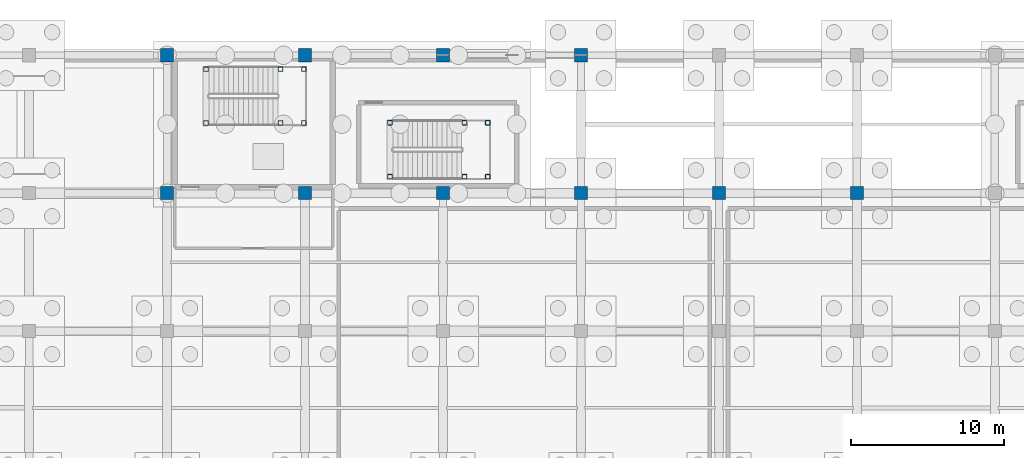
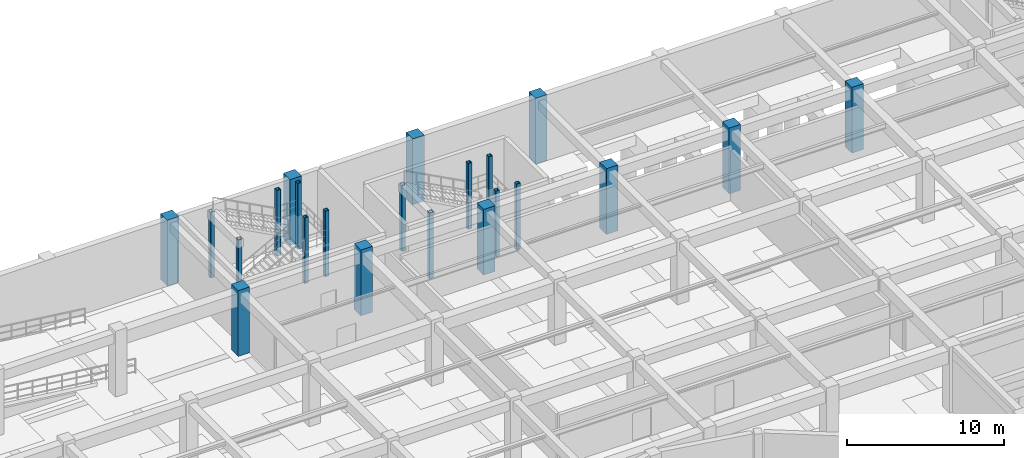
# One storey, part 23 of 62: 22 columns.
"""IFC4 building model written with IfcOpenShell, lengths in metres."""

from ifc_helpers import new_model, si_unit, direction, frame, origin, origin_2d, place, context, subcontext, project, spatial, rectangle, hollow_rectangle, extrude, material, material_profile, profile_set, type_object, element, save


model = new_model("IFC4")

# Units and contexts
model_context = context("Model", 3, precision=1e-05, world=origin(), true_north=direction((0.0, 1.0)))
body_context = subcontext(model_context, "Body", "Model", "MODEL_VIEW")
ifc_project = project(units=[si_unit("LENGTHUNIT", "METRE"), si_unit("AREAUNIT", "SQUARE_METRE"), si_unit("VOLUMEUNIT", "CUBIC_METRE"), si_unit("PLANEANGLEUNIT", "RADIAN"), si_unit("MASSUNIT", "GRAM", prefix="KILO")], contexts=[model_context])

# Site, building, storey
site_placement = place(None, origin())
site = spatial("IfcSite", under=ifc_project, at=site_placement, CompositionType="ELEMENT")
building_placement = place(site_placement, origin())
building = spatial("IfcBuilding", under=site, at=building_placement, Name="Miravela Opera House", CompositionType="ELEMENT")
storey_placement = place(building_placement, frame((0.0, 0.0, -5.10009765625)))
storey = spatial("IfcBuildingStorey", under=building, at=storey_placement, Name="B01", CompositionType="ELEMENT", Elevation=-5.10009765625)

# Columns
ifc_material_1 = material(Name="Hollow structural steel ASTM A500 Gr. C", Category="steel")
ifc_material_profile_1 = material_profile(ifc_material_1, hollow_rectangle(XDim=0.300048828125, YDim=0.300048828125, WallThickness=0.01611328125, InnerFilletRadius=0.01611328125, OuterFilletRadius=0.031982421875, at=origin_2d()), Name="HSS300X300X16")
ifc_profile_set_1 = profile_set([ifc_material_profile_1])
column_type_1 = type_object("IfcColumnType", Name="STR-COL-HSS300", PredefinedType="COLUMN", material=ifc_profile_set_1)
for number, where, z_axis, x_axis, name in (
    (1, (65.5400390625, 107.580078125, 0.0), (0.0, 0.0, 1.0), (1.0, 0.0, 0.0), "Stair K5 Landing Support Column 1 (B01)"),
    (2, (65.5400390625, 111.10009765625, 0.0), (0.0, 0.0, 1.0), (1.0, 0.0, 0.0), "Stair K5 Landing Support Column 2 (B01)"),
    (3, (70.39990234375, 107.580078125, 0.0), (0.0, 0.0, 1.0), (1.0, 0.0, 0.0), "Stair K5 Landing Support Column 3 (B01)"),
    (4, (70.39990234375, 111.10009765625, 0.0), (0.0, 0.0, 1.0), (1.0, 0.0, 0.0), "Stair K5 Landing Support Column 4 (B01)"),
    (5, (71.919921875, 107.580078125, 0.0), (0.0, 0.0, 1.0), (1.0, 0.0, 0.0), "Stair K5 Landing Support Column 5 (B01)"),
    (6, (71.919921875, 111.10009765625, 0.0), (0.0, 0.0, 1.0), (1.0, 0.0, 0.0), "Stair K5 Landing Support Column 6 (B01)"),
    (7, (77.5400390625, 104.080078125, 0.0), (0.0, 0.0, 1.0), (1.0, 0.0, 0.0), "Stair ST-07 Landing Support Column 1 (B01)"),
    (8, (77.5400390625, 107.60009765625, 0.0), (0.0, 0.0, 1.0), (1.0, 0.0, 0.0), "Stair ST-07 Landing Support Column 2 (B01)"),
    (9, (82.39990234375, 104.080078125, 0.0), (0.0, 0.0, 1.0), (1.0, 0.0, 0.0), "Stair ST-07 Landing Support Column 3 (B01)"),
    (10, (82.39990234375, 107.60009765625, 0.0), (0.0, 0.0, 1.0), (1.0, 0.0, 0.0), "Stair ST-07 Landing Support Column 4 (B01)"),
    (11, (83.919921875, 104.080078125, 0.0), (0.0, 0.0, 1.0), (1.0, 0.0, 0.0), "Stair ST-07 Landing Support Column 5 (B01)"),
    (12, (83.919921875, 107.60009765625, 0.0), (0.0, 0.0, 1.0), (1.0, 0.0, 0.0), "Stair ST-07 Landing Support Column 6 (B01)"),
):
    element("IfcColumn", number, at=place(storey_placement, frame(where, z_axis=z_axis, x_axis=x_axis)), inside=storey, type_object=column_type_1, Name=name, PredefinedType="COLUMN", context=body_context, shape_type="SweptSolid", body=[
        extrude(hollow_rectangle(XDim=0.300048828125, YDim=0.300048828125, WallThickness=0.01611328125, InnerFilletRadius=0.01611328125, OuterFilletRadius=0.031982421875, at=origin_2d()), origin(), (0.0, 0.0, 1.0), 5.10009765625),
    ])
ifc_material_2 = material(Name="Concrete C40/50", Category="concrete")
ifc_material_profile_2 = material_profile(ifc_material_2, rectangle(XDim=0.85009765625, YDim=0.85009765625, at=origin_2d()), Name="RC-COL-850X850")
ifc_profile_set_2 = profile_set([ifc_material_profile_2])
column_type_2 = type_object("IfcColumnType", Name="STR-COL-RC850", PredefinedType="COLUMN", material=ifc_profile_set_2)
for number, where, z_axis, x_axis, name in (
    (13, (81.0, 103.0, 0.0), (0.0, 0.0, 1.0), (1.0, 0.0, 0.0), "Column C-10L (B01)"),
    (14, (81.0, 112.0, 0.0), (0.0, 0.0, 1.0), (1.0, 0.0, 0.0), "Column C-10M (B01)"),
    (15, (90.0, 103.0, 0.0), (0.0, 0.0, 1.0), (1.0, 0.0, 0.0), "Column C-11L (B01)"),
    (16, (90.0, 112.0, 0.0), (0.0, 0.0, 1.0), (1.0, 0.0, 0.0), "Column C-11M (B01)"),
    (17, (99.0, 103.0, 0.0), (0.0, 0.0, 1.0), (1.0, 0.0, 0.0), "Column C-12L (B01)"),
    (18, (108.0, 103.0, 0.0), (0.0, 0.0, 1.0), (1.0, 0.0, 0.0), "Column C-13L (B01)"),
    (19, (63.0, 103.0, 0.0), (0.0, 0.0, 1.0), (1.0, 0.0, 0.0), "Column C-8L (B01)"),
    (20, (63.0, 112.0, 0.0), (0.0, 0.0, 1.0), (1.0, 0.0, 0.0), "Column C-8M (B01)"),
    (21, (72.0, 103.0, 0.0), (0.0, 0.0, 1.0), (1.0, 0.0, 0.0), "Column C-9L (B01)"),
    (22, (72.0, 112.0, 0.0), (0.0, 0.0, 1.0), (1.0, 0.0, 0.0), "Column C-9M (B01)"),
):
    element("IfcColumn", number, at=place(storey_placement, frame(where, z_axis=z_axis, x_axis=x_axis)), inside=storey, type_object=column_type_2, Name=name, PredefinedType="COLUMN", context=body_context, shape_type="SweptSolid", body=[
        extrude(rectangle(XDim=0.85009765625, YDim=0.85009765625, at=origin_2d()), origin(), (0.0, 0.0, 1.0), 5.10009765625),
    ])

save(model, "model.ifc")
